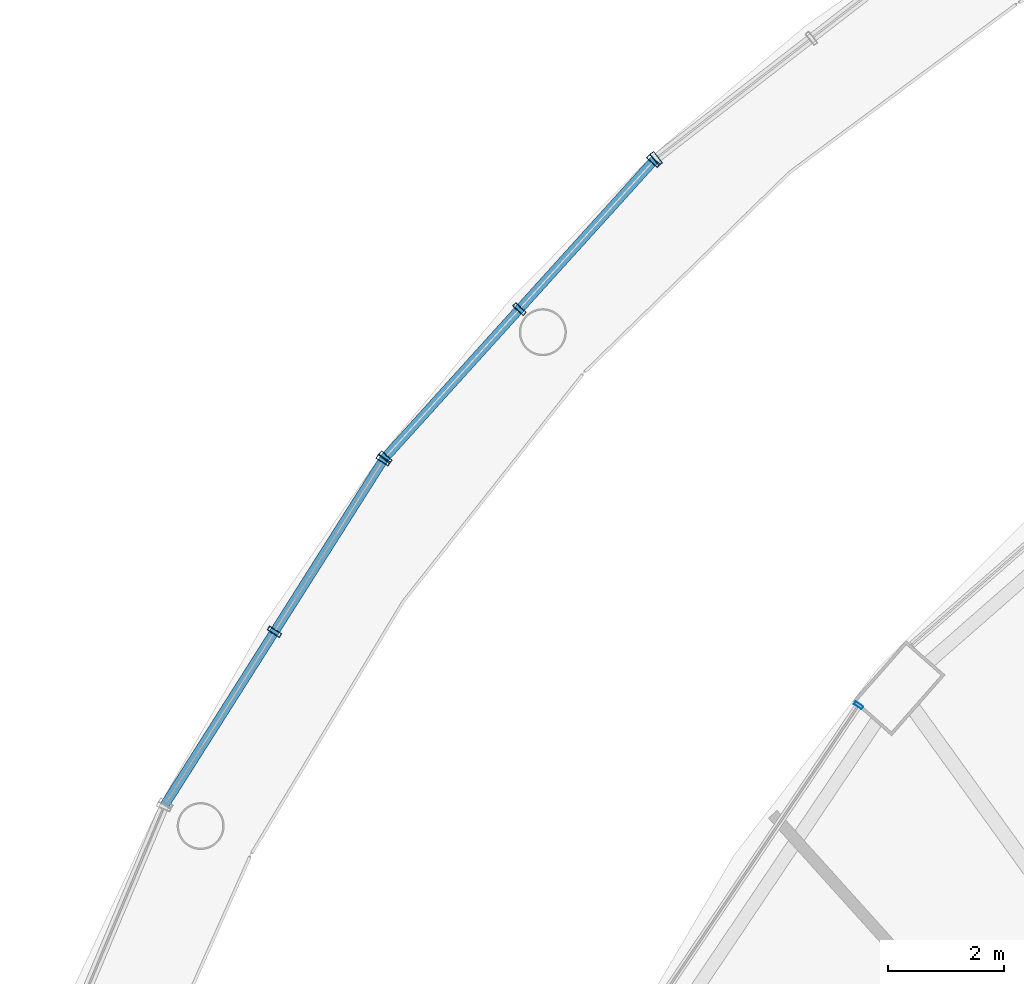
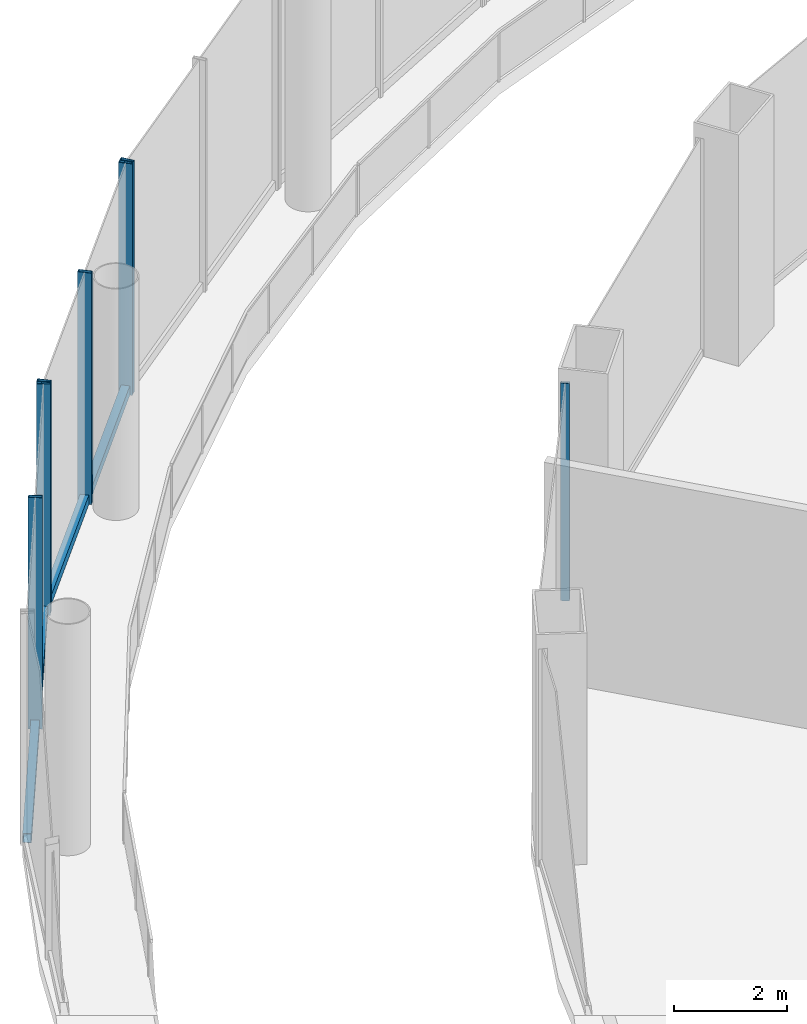
# One storey, part 28 of 48: 9 members, 4 elements without a shape of their own.
"""IFC4 building model written with IfcOpenShell, lengths in metres."""

from ifc_helpers import new_model, si_unit, direction, frame, origin, origin_2d, place, context, subcontext, project, spatial, hollow_rectangle, extrude, material, layer, layer_set, material_profile, profile_set, type_object, element, aggregate, save


model = new_model("IFC4")

# Units and contexts
model_context = context("Model", 3, precision=1e-05, world=origin(), true_north=direction((0.0, 1.0)))
body_context = subcontext(model_context, "Body", "Model", "MODEL_VIEW")
ifc_project = project(units=[si_unit("LENGTHUNIT", "METRE"), si_unit("AREAUNIT", "SQUARE_METRE"), si_unit("VOLUMEUNIT", "CUBIC_METRE"), si_unit("PLANEANGLEUNIT", "RADIAN"), si_unit("MASSUNIT", "GRAM", prefix="KILO")], contexts=[model_context])

# Site, building, storey
site_placement = place(None, origin())
site = spatial("IfcSite", under=ifc_project, at=site_placement, CompositionType="ELEMENT")
building_placement = place(site_placement, origin())
building = spatial("IfcBuilding", under=site, at=building_placement, Name="Nagisa Residences", CompositionType="ELEMENT")
storey_placement = place(building_placement, frame((0.0, 0.0, 12.0)))
storey = spatial("IfcBuildingStorey", under=building, at=storey_placement, Name="L02", CompositionType="ELEMENT", Elevation=12.0)

# Curtain wall, member
ifc_material_1 = material(Name="Stainless steel curtain wall system", Category="steel")
ifc_layer_1 = layer(ifc_material_1, 0.159912109375)
ifc_layer_set_1 = layer_set([ifc_layer_1], Name="CW3 CURTAIN WALL")
curtain_wall_type_1 = type_object("IfcCurtainWallType", Name="CW3 CURTAIN WALL", PredefinedType="NOTDEFINED", material=ifc_layer_set_1)
curtain_wall_1_placement = place(storey_placement, origin())
curtain_wall_1 = element("IfcCurtainWall", 1, at=curtain_wall_1_placement, inside=storey, type_object=curtain_wall_type_1, Name="cw:CW3:L02:12", PredefinedType="NOTDEFINED")
ifc_material_2 = material(Name="Stainless steel", Category="steel")
ifc_material_profile_1 = material_profile(ifc_material_2, hollow_rectangle(XDim=0.25, YDim=0.080078125, WallThickness=0.008056640625, at=origin_2d()), Name="CW3 MULLION 250x80")
ifc_profile_set_1 = profile_set([ifc_material_profile_1], Name="Stainless steel")
member_type_1 = type_object("IfcMemberType", Name="CW3 MULLION 250x80", PredefinedType="MULLION", material=ifc_profile_set_1)
member_1_placement = place(storey_placement, frame((-20.745361328125, 32.135009765625, 0.0), z_axis=(0.0, 0.0, 1.0), x_axis=(0.612034757172, -0.790830864353, 0.0)))
member_1 = element("IfcMember", 2, at=member_1_placement, type_object=member_type_1, Name="CW3 mullion", PredefinedType="MULLION", context=body_context, shape_type="SweptSolid", body=[
    extrude(hollow_rectangle(XDim=0.25, YDim=0.080078125, WallThickness=0.008056640625, at=origin_2d()), origin(), (0.0, 0.0, 1.0), 5.0),
])
aggregate(curtain_wall_1, [member_1])

# Curtain wall, members
curtain_wall_2_placement = place(storey_placement, origin())
curtain_wall_2 = element("IfcCurtainWall", 3, at=curtain_wall_2_placement, inside=storey, type_object=curtain_wall_type_1, Name="cw:CW3:L02:13", PredefinedType="NOTDEFINED")
member_2_placement = place(storey_placement, frame((-20.79345703125, 32.090576171875, 0.0), z_axis=(0.0, 0.0, 1.0), x_axis=(0.741535779122, -0.670913323971, 0.0)))
member_2 = element("IfcMember", 4, at=member_2_placement, type_object=member_type_1, Name="CW3 mullion", PredefinedType="MULLION", context=body_context, shape_type="SweptSolid", body=[
    extrude(hollow_rectangle(XDim=0.25, YDim=0.080078125, WallThickness=0.008056640625, at=origin_2d()), origin(), (0.0, 0.0, 1.0), 5.0),
])
member_3_placement = place(storey_placement, frame((-23.1083984375, 29.53173828125, 0.0), z_axis=(0.0, 0.0, 1.0), x_axis=(0.741535779122, -0.670913323971, 0.0)))
member_3 = element("IfcMember", 5, at=member_3_placement, type_object=member_type_1, Name="CW3 mullion", PredefinedType="MULLION", context=body_context, shape_type="SweptSolid", body=[
    extrude(hollow_rectangle(XDim=0.25, YDim=0.080078125, WallThickness=0.008056640625, at=origin_2d()), origin(), (0.0, 0.0, 1.0), 5.0),
])
member_4_placement = place(storey_placement, frame((-25.423583984375, 26.97314453125, 0.0), z_axis=(0.0, 0.0, 1.0), x_axis=(0.741535779122, -0.670913323971, 0.0)))
member_4 = element("IfcMember", 6, at=member_4_placement, type_object=member_type_1, Name="CW3 mullion", PredefinedType="MULLION", context=body_context, shape_type="SweptSolid", body=[
    extrude(hollow_rectangle(XDim=0.25, YDim=0.080078125, WallThickness=0.008056640625, at=origin_2d()), origin(), (0.0, 0.0, 1.0), 5.0),
])

curtain_wall_3_placement = place(storey_placement, origin())
curtain_wall_3 = element("IfcCurtainWall", 7, at=curtain_wall_3_placement, inside=storey, type_object=curtain_wall_type_1, Name="cw:CW3:L02:14", PredefinedType="NOTDEFINED")
member_5_placement = place(storey_placement, frame((-25.463623046875, 26.92041015625, 0.0), z_axis=(0.0, 0.0, 1.0), x_axis=(0.844747368001, -0.535165286856, 0.0)))
member_5 = element("IfcMember", 8, at=member_5_placement, type_object=member_type_1, Name="CW3 mullion", PredefinedType="MULLION", context=body_context, shape_type="SweptSolid", body=[
    extrude(hollow_rectangle(XDim=0.25, YDim=0.080078125, WallThickness=0.008056640625, at=origin_2d()), origin(), (0.0, 0.0, 1.0), 5.0),
])
member_6_placement = place(storey_placement, frame((-27.341796875, 23.955810546875, 0.0), z_axis=(0.0, 0.0, 1.0), x_axis=(0.844747368001, -0.535165286856, 0.0)))
member_6 = element("IfcMember", 9, at=member_6_placement, type_object=member_type_1, Name="CW3 mullion", PredefinedType="MULLION", context=body_context, shape_type="SweptSolid", body=[
    extrude(hollow_rectangle(XDim=0.25, YDim=0.080078125, WallThickness=0.008056640625, at=origin_2d()), origin(), (0.0, 0.0, 1.0), 5.0),
])

# Member
ifc_material_3 = material(Name="Stainless steel", Category="steel")
ifc_material_profile_2 = material_profile(ifc_material_3, hollow_rectangle(XDim=0.159912109375, YDim=0.199951171875, WallThickness=0.008056640625, at=origin_2d()), Name="CW3 TRANSOM 160x200")
ifc_profile_set_2 = profile_set([ifc_material_profile_2], Name="Stainless steel")
member_type_2 = type_object("IfcMemberType", Name="CW3 TRANSOM 160x200", PredefinedType="USERDEFINED", material=ifc_profile_set_2)
member_7_placement = place(storey_placement, frame((-20.7666015625, 32.1201171875, 0.10009765625), z_axis=(-0.670921565259, -0.741528322635, 0.0), x_axis=(0.741528322635, -0.670921565259, 0.0)))
member_7 = element("IfcMember", 10, at=member_7_placement, type_object=member_type_2, Name="CW3 transom", ObjectType="TRANSOM", PredefinedType="USERDEFINED", context=body_context, shape_type="SweptSolid", body=[
    extrude(hollow_rectangle(XDim=0.159912109375, YDim=0.199951171875, WallThickness=0.008056640625, at=origin_2d()), origin(), (0.0, 0.0, 1.0), 6.981201171875),
])

aggregate(curtain_wall_2, [member_2, member_3, member_4, member_7])

member_8_placement = place(storey_placement, frame((-25.442138671875, 26.954345703125, 0.10009765625), z_axis=(-0.535169889444, -0.844744452147, 0.0), x_axis=(0.844744452147, -0.535169889444, 0.0)))
member_8 = element("IfcMember", 11, at=member_8_placement, type_object=member_type_2, Name="CW3 transom", ObjectType="TRANSOM", PredefinedType="USERDEFINED", context=body_context, shape_type="SweptSolid", body=[
    extrude(hollow_rectangle(XDim=0.159912109375, YDim=0.199951171875, WallThickness=0.008056640625, at=origin_2d()), origin(), (0.0, 0.0, 1.0), 7.099365234375),
])

aggregate(curtain_wall_3, [member_5, member_6, member_8])

# Curtain wall, member
ifc_material_4 = material(Name="Stainless steel curtain wall system", Category="steel")
ifc_layer_2 = layer(ifc_material_4, 0.159912109375)
ifc_layer_set_2 = layer_set([ifc_layer_2], Name="CW6 CURTAIN WALL")
curtain_wall_type_2 = type_object("IfcCurtainWallType", Name="CW6 CURTAIN WALL", PredefinedType="NOTDEFINED", material=ifc_layer_set_2)
curtain_wall_4_placement = place(storey_placement, origin())
curtain_wall_4 = element("IfcCurtainWall", 12, at=curtain_wall_4_placement, inside=storey, type_object=curtain_wall_type_2, Name="cw:CW6:L02:18", PredefinedType="NOTDEFINED")
ifc_material_5 = material(Name="Stainless steel", Category="steel")
ifc_material_profile_3 = material_profile(ifc_material_5, hollow_rectangle(XDim=0.159912109375, YDim=0.06005859375, WallThickness=0.006103515625, at=origin_2d()), Name="CW6 MULLION 160x60")
ifc_profile_set_3 = profile_set([ifc_material_profile_3], Name="Stainless steel")
member_type_3 = type_object("IfcMemberType", Name="CW6 MULLION 160x60", PredefinedType="MULLION", material=ifc_profile_set_3)
member_9_placement = place(storey_placement, frame((-17.247802734375, 22.6845703125, 0.0), z_axis=(0.0, 0.0, 1.0), x_axis=(0.829110926393, -0.559084136544, 0.0)))
member_9 = element("IfcMember", 13, at=member_9_placement, type_object=member_type_3, Name="CW6 mullion", PredefinedType="MULLION", context=body_context, shape_type="SweptSolid", body=[
    extrude(hollow_rectangle(XDim=0.159912109375, YDim=0.06005859375, WallThickness=0.006103515625, at=origin_2d()), origin(), (0.0, 0.0, 1.0), 4.699951171875),
])
aggregate(curtain_wall_4, [member_9])

save(model, "model.ifc")
